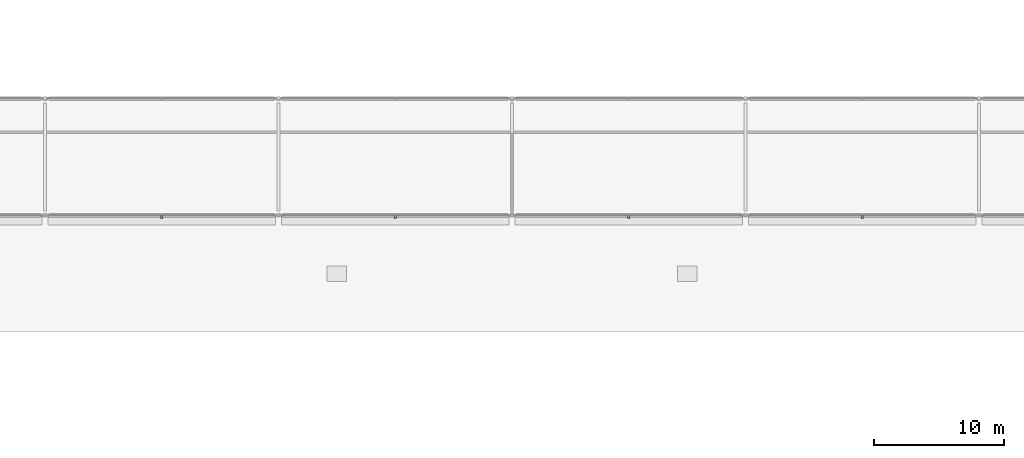
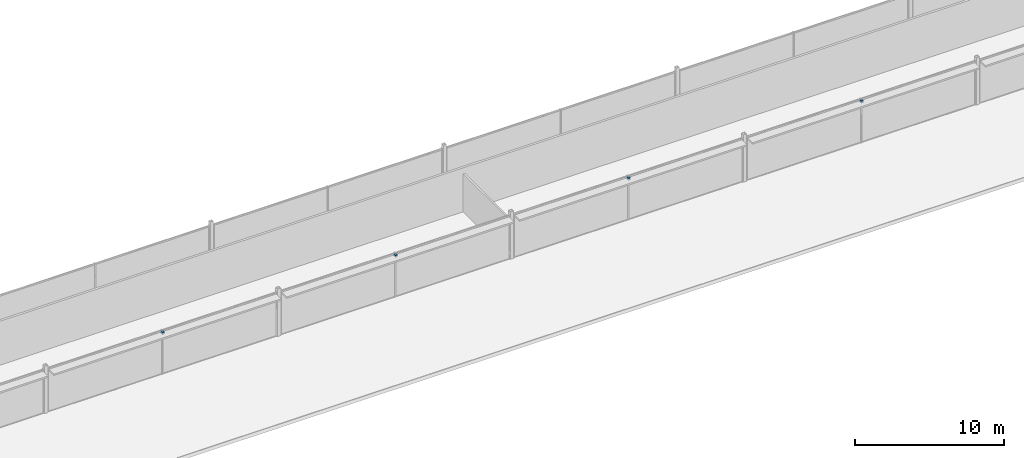
# One storey, part 82 of 105: 4 discrete accessories.
"""IFC4 building model written with IfcOpenShell, lengths in metres."""

from ifc_helpers import new_model, si_unit, direction, frame, origin, origin_2d, place, context, subcontext, project, spatial, rectangle, extrude, material, type_object, element, save


model = new_model("IFC4")

# Units and contexts
model_context = context("Model", 3, precision=1e-05, world=origin(), true_north=direction((0.0, 1.0)))
body_context = subcontext(model_context, "Body", "Model", "MODEL_VIEW")
ifc_project = project(units=[si_unit("LENGTHUNIT", "METRE"), si_unit("AREAUNIT", "SQUARE_METRE"), si_unit("VOLUMEUNIT", "CUBIC_METRE"), si_unit("PLANEANGLEUNIT", "RADIAN"), si_unit("MASSUNIT", "GRAM", prefix="KILO")], contexts=[model_context])

# Site, building, storey
site_placement = place(None, origin())
site = spatial("IfcSite", under=ifc_project, at=site_placement, CompositionType="ELEMENT")
building_placement = place(site_placement, origin())
building = spatial("IfcBuilding", under=site, at=building_placement, Name="Kisiwana Market Hall", CompositionType="ELEMENT")
storey_placement = place(building_placement, frame((0.0, 0.0, 21.60009765625)))
storey = spatial("IfcBuildingStorey", under=building, at=storey_placement, Name="L04", CompositionType="ELEMENT", Elevation=21.60009765625)

# Discrete accessories
ifc_material = material(Name="Steel S355", Category="steel")
discrete_accessory_type = type_object("IfcDiscreteAccessoryType", Name="ACC-BRACKET-STL", PredefinedType="BRACKET", material=ifc_material)
for number, where, z_axis, x_axis, name in (
    (1, (72.0, 92.889892578125, 3.375), (0.0, 0.0, 1.0), (1.0, 0.0, 0.0), "Sunshade steel bracket BRK-061"),
    (2, (90.0, 92.889892578125, 3.375), (0.0, 0.0, 1.0), (1.0, 0.0, 0.0), "Sunshade steel bracket BRK-062"),
    (3, (108.0, 92.889892578125, 3.375), (0.0, 0.0, 1.0), (1.0, 0.0, 0.0), "Sunshade steel bracket BRK-063"),
    (4, (126.0, 92.889892578125, 3.375), (0.0, 0.0, 1.0), (1.0, 0.0, 0.0), "Sunshade steel bracket BRK-064"),
):
    element("IfcDiscreteAccessory", number, at=place(storey_placement, frame(where, z_axis=z_axis, x_axis=x_axis)), inside=storey, type_object=discrete_accessory_type, Name=name, PredefinedType="BRACKET", context=body_context, shape_type="SweptSolid", body=[
        extrude(rectangle(XDim=0.179931640625, YDim=0.239990234375, at=origin_2d()), origin(), (0.0, 0.0, 1.0), 0.179931640625),
    ])

save(model, "model.ifc")
